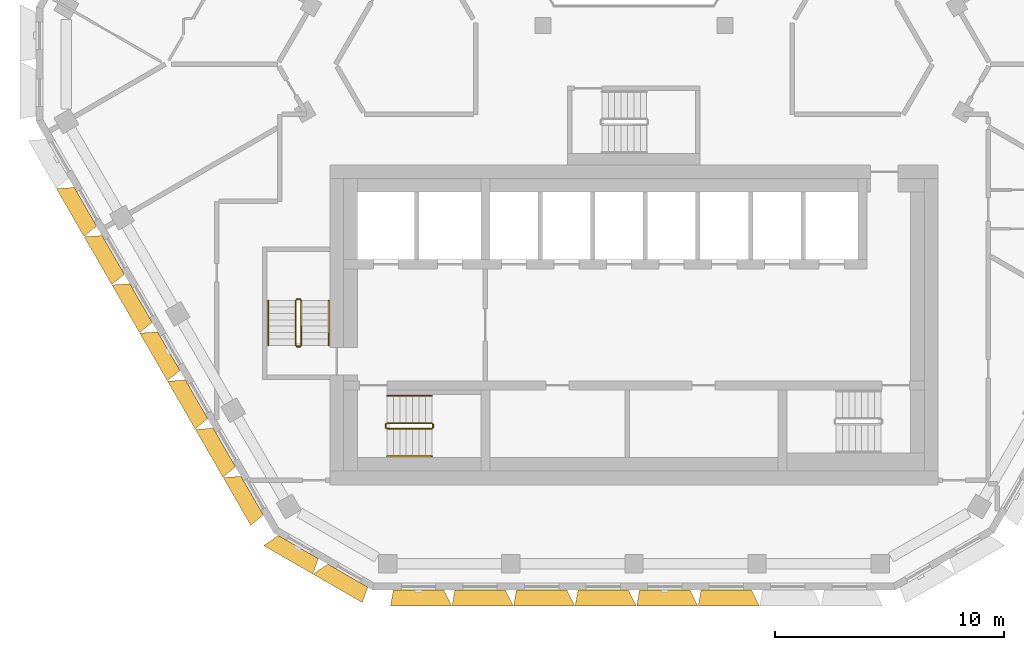
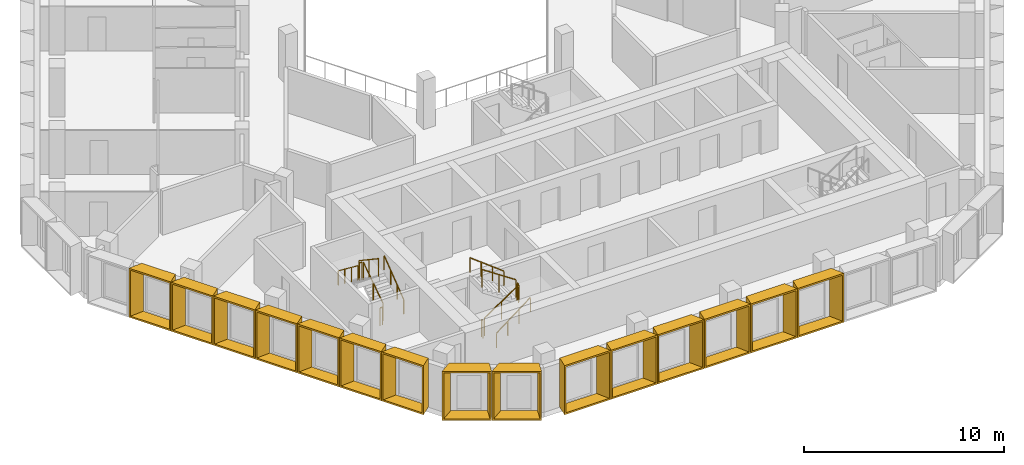
# One storey, part 13 of 17: 15 shading devices, 12 railings.
"""IFC4 building model written with IfcOpenShell, lengths in metres."""

from ifc_helpers import new_model, entity, si_unit, direction, frame, origin, origin_2d, place, context, subcontext, project, spatial, rectangle, extrude, source, transform, mapped, material, type_object, type_shapes, element, save


model = new_model("IFC4")

# Units and contexts
model_context = context("Model", 3, precision=1e-05, world=origin(), true_north=direction((0.0, 1.0)))
body_context = subcontext(model_context, "Body", "Model", "MODEL_VIEW")
ifc_project = project(units=[si_unit("LENGTHUNIT", "METRE"), si_unit("AREAUNIT", "SQUARE_METRE"), si_unit("VOLUMEUNIT", "CUBIC_METRE"), si_unit("PLANEANGLEUNIT", "RADIAN"), si_unit("MASSUNIT", "GRAM", prefix="KILO")], contexts=[model_context])

# Site, building, storey
site_placement = place(None, origin())
site = spatial("IfcSite", under=ifc_project, at=site_placement, CompositionType="ELEMENT")
building_placement = place(site_placement, origin())
building = spatial("IfcBuilding", under=site, at=building_placement, Name="Beryl Residences", CompositionType="ELEMENT")
storey_placement = place(building_placement, frame((0.0, 0.0, 178.199951171875)))
storey = spatial("IfcBuildingStorey", under=building, at=storey_placement, Name="L54", CompositionType="ELEMENT", Elevation=178.199951171875)

# Shading devices
ifc_material_1 = material(Name="Aluminium pale anodised", Category="aluminium")
shading_device_type_1 = type_object("IfcShadingDeviceType", Name="FR243-70B OUTER SKIN frame 700 mm deep, splay 26/10 deg, 2430 x 3000 mm cell", PredefinedType="USERDEFINED", material=ifc_material_1)
cartesian_point_1 = entity("IfcCartesianPoint", [-0.972412109375, 0.0])
cartesian_point_2 = entity("IfcCartesianPoint", [-0.883544921875, 0.10009765625])
cartesian_point_3 = entity("IfcCartesianPoint", [-1.31396484375, 0.0])
cartesian_point_4 = entity("IfcCartesianPoint", [-1.224853515625, 0.10009765625])
shared_shape_1 = source(origin(), body_context, "Body", "SweptSolid", [
    entity("IfcExtrudedAreaSolidTapered", entity("IfcArbitraryProfileDefWithVoids", "AREA", None, entity("IfcPolyline", [cartesian_point_1, entity("IfcCartesianPoint", [0.972412109375, 0.0]), entity("IfcCartesianPoint", [0.972412109375, 3.0]), entity("IfcCartesianPoint", [-0.972412109375, 3.0]), cartesian_point_1]), [entity("IfcPolyline", [cartesian_point_2, entity("IfcCartesianPoint", [0.891357421875, 0.10009765625]), entity("IfcCartesianPoint", [0.891357421875, 2.89990234375]), entity("IfcCartesianPoint", [-0.883544921875, 2.89990234375]), cartesian_point_2])]), entity("IfcAxis2Placement3D", entity("IfcCartesianPoint", [0.0, 0.0, 0.0]), entity("IfcDirection", [0.0, 1.0, 0.0]), entity("IfcDirection", [-1.0, 0.0, 0.0])), entity("IfcDirection", [0.0, 0.0, 1.0]), 0.699951171875, entity("IfcArbitraryProfileDefWithVoids", "AREA", None, entity("IfcPolyline", [cartesian_point_3, entity("IfcCartesianPoint", [1.095947265625, 0.0]), entity("IfcCartesianPoint", [1.095947265625, 3.0]), entity("IfcCartesianPoint", [-1.31396484375, 3.0]), cartesian_point_3]), [entity("IfcPolyline", [cartesian_point_4, entity("IfcCartesianPoint", [1.0146484375, 0.10009765625]), entity("IfcCartesianPoint", [1.0146484375, 2.89990234375]), entity("IfcCartesianPoint", [-1.224853515625, 2.89990234375]), cartesian_point_4])])),
])
type_shapes(shading_device_type_1, [shared_shape_1])
for number, where, z_axis, x_axis, name in (
    (1, (-23.9970703125, -6.833984375, 0.0), (0.0, 0.0, 1.0), (-0.5, 0.866025403784, 0.0), "FR243-70B frame L54 SW 2"),
    (2, (-22.781005859375, -8.93994140625, 0.0), (0.0, 0.0, 1.0), (-0.5, 0.866025403784, 0.0), "FR243-70B frame L54 SW 3"),
    (3, (-21.56494140625, -11.0458984375, 0.0), (0.0, 0.0, 1.0), (-0.5, 0.866025403784, 0.0), "FR243-70B frame L54 SW 4"),
    (4, (-20.35009765625, -13.152099609375, 0.0), (0.0, 0.0, 1.0), (-0.5, 0.866025403784, 0.0), "FR243-70B frame L54 SW 5"),
    (5, (-19.134033203125, -15.258056640625, 0.0), (0.0, 0.0, 1.0), (-0.5, 0.866025403784, 0.0), "FR243-70B frame L54 SW 6"),
    (6, (-17.91796875, -17.364990234375, 0.0), (0.0, 0.0, 1.0), (-0.5, 0.866025403784, 0.0), "FR243-70B frame L54 SW 7"),
    (7, (-16.701904296875, -19.470947265625, 0.0), (0.0, 0.0, 1.0), (-0.5, 0.866025403784, 0.0), "FR243-70B frame L54 SW 8"),
):
    element("IfcShadingDevice", number, at=place(storey_placement, frame(where, z_axis=z_axis, x_axis=x_axis)), inside=storey, type_object=shading_device_type_1, Name=name, ObjectType="OUTER SKIN", PredefinedType="USERDEFINED", context=body_context, shape_type="MappedRepresentation", body=[
        mapped(shared_shape_1, transform((0.0, 0.0, 0.0))),
    ])
ifc_material_2 = material(Name="Aluminium pale anodised", Category="aluminium")
shading_device_type_2 = type_object("IfcShadingDeviceType", Name="FR250-70B OUTER SKIN frame 700 mm deep, splay 26/10 deg, 2500 x 3000 mm cell", PredefinedType="USERDEFINED", material=ifc_material_2)
cartesian_point_5 = entity("IfcCartesianPoint", [-1.007568359375, 0.0])
cartesian_point_6 = entity("IfcCartesianPoint", [-0.91845703125, 0.10009765625])
cartesian_point_7 = entity("IfcCartesianPoint", [-1.348876953125, 0.0])
cartesian_point_8 = entity("IfcCartesianPoint", [-1.260009765625, 0.10009765625])
shared_shape_2 = source(origin(), body_context, "Body", "SweptSolid", [
    entity("IfcExtrudedAreaSolidTapered", entity("IfcArbitraryProfileDefWithVoids", "AREA", None, entity("IfcPolyline", [cartesian_point_5, entity("IfcCartesianPoint", [1.007568359375, 0.0]), entity("IfcCartesianPoint", [1.007568359375, 3.0]), entity("IfcCartesianPoint", [-1.007568359375, 3.0]), cartesian_point_5]), [entity("IfcPolyline", [cartesian_point_6, entity("IfcCartesianPoint", [0.92626953125, 0.10009765625]), entity("IfcCartesianPoint", [0.92626953125, 2.89990234375]), entity("IfcCartesianPoint", [-0.91845703125, 2.89990234375]), cartesian_point_6])]), entity("IfcAxis2Placement3D", entity("IfcCartesianPoint", [0.0, 0.0, 0.0]), entity("IfcDirection", [0.0, 1.0, 0.0]), entity("IfcDirection", [-1.0, 0.0, 0.0])), entity("IfcDirection", [0.0, 0.0, 1.0]), 0.699951171875, entity("IfcArbitraryProfileDefWithVoids", "AREA", None, entity("IfcPolyline", [cartesian_point_7, entity("IfcCartesianPoint", [1.130859375, 0.0]), entity("IfcCartesianPoint", [1.130859375, 3.0]), entity("IfcCartesianPoint", [-1.348876953125, 3.0]), cartesian_point_7]), [entity("IfcPolyline", [cartesian_point_8, entity("IfcCartesianPoint", [1.0498046875, 0.10009765625]), entity("IfcCartesianPoint", [1.0498046875, 2.89990234375]), entity("IfcCartesianPoint", [-1.260009765625, 2.89990234375]), cartesian_point_8])])),
])
type_shapes(shading_device_type_2, [shared_shape_2])
for number, where, z_axis, x_axis, name in (
    (8, (-14.677978515625, -21.72509765625, 0.0), (0.0, 0.0, 1.0), (-0.866025403784, 0.5, 0.0), "FR250-70B frame L54 SW-S 1"),
    (9, (-12.513916015625, -22.97509765625, 0.0), (0.0, 0.0, 1.0), (-0.866025403784, 0.5, 0.0), "FR250-70B frame L54 SW-S 2"),
):
    element("IfcShadingDevice", number, at=place(storey_placement, frame(where, z_axis=z_axis, x_axis=x_axis)), inside=storey, type_object=shading_device_type_2, Name=name, ObjectType="OUTER SKIN", PredefinedType="USERDEFINED", context=body_context, shape_type="MappedRepresentation", body=[
        mapped(shared_shape_2, transform((0.0, 0.0, 0.0))),
    ])
ifc_material_3 = material(Name="Aluminium pale anodised", Category="aluminium")
shading_device_type_3 = type_object("IfcShadingDeviceType", Name="FR269-70C OUTER SKIN frame 700 mm deep, splay 10/26 deg, 2690 x 3000 mm cell", PredefinedType="USERDEFINED", material=ifc_material_3)
cartesian_point_9 = entity("IfcCartesianPoint", [-1.1025390625, 0.0])
cartesian_point_10 = entity("IfcCartesianPoint", [-1.021240234375, 0.10009765625])
cartesian_point_11 = entity("IfcCartesianPoint", [-1.225830078125, 0.0])
cartesian_point_12 = entity("IfcCartesianPoint", [-1.144775390625, 0.10009765625])
shared_shape_3 = source(origin(), body_context, "Body", "SweptSolid", [
    entity("IfcExtrudedAreaSolidTapered", entity("IfcArbitraryProfileDefWithVoids", "AREA", None, entity("IfcPolyline", [cartesian_point_9, entity("IfcCartesianPoint", [1.1025390625, 0.0]), entity("IfcCartesianPoint", [1.1025390625, 3.0]), entity("IfcCartesianPoint", [-1.1025390625, 3.0]), cartesian_point_9]), [entity("IfcPolyline", [cartesian_point_10, entity("IfcCartesianPoint", [1.013427734375, 0.10009765625]), entity("IfcCartesianPoint", [1.013427734375, 2.89990234375]), entity("IfcCartesianPoint", [-1.021240234375, 2.89990234375]), cartesian_point_10])]), entity("IfcAxis2Placement3D", entity("IfcCartesianPoint", [0.0, 0.0, 0.0]), entity("IfcDirection", [0.0, 1.0, 0.0]), entity("IfcDirection", [-1.0, 0.0, 0.0])), entity("IfcDirection", [0.0, 0.0, 1.0]), 0.699951171875, entity("IfcArbitraryProfileDefWithVoids", "AREA", None, entity("IfcPolyline", [cartesian_point_11, entity("IfcCartesianPoint", [1.44384765625, 0.0]), entity("IfcCartesianPoint", [1.44384765625, 3.0]), entity("IfcCartesianPoint", [-1.225830078125, 3.0]), cartesian_point_11]), [entity("IfcPolyline", [cartesian_point_12, entity("IfcCartesianPoint", [1.35498046875, 0.10009765625]), entity("IfcCartesianPoint", [1.35498046875, 2.89990234375]), entity("IfcCartesianPoint", [-1.144775390625, 2.89990234375]), cartesian_point_12])])),
])
type_shapes(shading_device_type_3, [shared_shape_3])
for number, where, z_axis, x_axis, name in (
    (10, (-9.4208984375, -23.60009765625, 0.0), (0.0, 0.0, 1.0), (-1.0, 0.0, 0.0), "FR269-70C frame L54 S 1"),
    (11, (-6.72900390625, -23.60009765625, 0.0), (0.0, 0.0, 1.0), (-1.0, 0.0, 0.0), "FR269-70C frame L54 S 2"),
    (12, (-4.037109375, -23.60009765625, 0.0), (0.0, 0.0, 1.0), (-1.0, 0.0, 0.0), "FR269-70C frame L54 S 3"),
    (13, (-1.344970703125, -23.60009765625, 0.0), (0.0, 0.0, 1.0), (-1.0, 0.0, 0.0), "FR269-70C frame L54 S 4"),
    (14, (1.346923828125, -23.60009765625, 0.0), (0.0, 0.0, 1.0), (-1.0, 0.0, 0.0), "FR269-70C frame L54 S 5"),
    (15, (4.0390625, -23.60009765625, 0.0), (0.0, 0.0, 1.0), (-1.0, 0.0, 0.0), "FR269-70C frame L54 S 6"),
):
    element("IfcShadingDevice", number, at=place(storey_placement, frame(where, z_axis=z_axis, x_axis=x_axis)), inside=storey, type_object=shading_device_type_3, Name=name, ObjectType="OUTER SKIN", PredefinedType="USERDEFINED", context=body_context, shape_type="MappedRepresentation", body=[
        mapped(shared_shape_3, transform((0.0, 0.0, 0.0))),
    ])

# Railings
ifc_material_4 = material(Name="Stainless steel balustrade with glass infill", Category="steel")
railing_type_1 = type_object("IfcRailingType", Name="SG1 stair guard 1100 mm", PredefinedType="GUARDRAIL", material=ifc_material_4)
railing_1_placement = place(storey_placement, frame((-10.800048828125, -16.550048828125, 0.1875)))
element("IfcRailing", 16, at=railing_1_placement, inside=storey, type_object=railing_type_1, Name="L54 ST-1 stair guard 1", PredefinedType="GUARDRAIL", context=body_context, shape_type="SweptSolid", body=[
    extrude(rectangle(XDim=0.048095703125, YDim=0.048095703125, at=origin_2d()), frame((0.0, 0.0, 1.076171875), z_axis=(0.830902050051, 0.0, 0.556418712142), x_axis=(0.0, 1.0, 0.0)), (0.0, 0.0, 1.0), 2.35888671875),
    extrude(rectangle(XDim=0.0419921875, YDim=0.0419921875, at=origin_2d()), origin(), (0.0, 0.0, 1.0), 1.052001953125),
    extrude(rectangle(XDim=0.0419921875, YDim=0.0419921875, at=origin_2d()), frame((0.97998046875, 0.0, 0.65625)), (0.0, 0.0, 1.0), 1.052001953125),
    extrude(rectangle(XDim=0.0419921875, YDim=0.0419921875, at=origin_2d()), frame((1.9599609375, 0.0, 1.3125)), (0.0, 0.0, 1.0), 1.052001953125),
])
railing_2_placement = place(storey_placement, frame((-8.7900390625, -16.5, 1.5)))
element("IfcRailing", 17, at=railing_2_placement, inside=storey, type_object=railing_type_1, Name="L54 ST-1 stair guard 2", PredefinedType="GUARDRAIL", context=body_context, shape_type="SweptSolid", body=[
    extrude(rectangle(XDim=0.048095703125, YDim=0.048095703125, at=origin_2d()), frame((0.0, 0.0, 1.076171875), z_axis=(0.0, 1.0, 0.0), x_axis=(-1.0, 0.0, 0.0)), (0.0, 0.0, 1.0), 0.14990234375),
    extrude(rectangle(XDim=0.0419921875, YDim=0.0419921875, at=origin_2d()), origin(), (0.0, 0.0, 1.0), 1.052001953125),
    extrude(rectangle(XDim=0.0419921875, YDim=0.0419921875, at=origin_2d()), frame((0.0, 0.14990234375, 0.0)), (0.0, 0.0, 1.0), 1.052001953125),
])
railing_3_placement = place(storey_placement, frame((-8.840087890625, -16.300048828125, 1.6875)))
element("IfcRailing", 18, at=railing_3_placement, inside=storey, type_object=railing_type_1, Name="L54 ST-1 stair guard 3", PredefinedType="GUARDRAIL", context=body_context, shape_type="SweptSolid", body=[
    extrude(rectangle(XDim=0.048095703125, YDim=0.048095703125, at=origin_2d()), frame((0.0, 0.0, 1.076171875), z_axis=(-0.830902050051, 0.0, 0.556418712142), x_axis=(0.0, -1.0, 0.0)), (0.0, 0.0, 1.0), 2.35888671875),
    extrude(rectangle(XDim=0.0419921875, YDim=0.0419921875, at=origin_2d()), origin(), (0.0, 0.0, 1.0), 1.052001953125),
    extrude(rectangle(XDim=0.0419921875, YDim=0.0419921875, at=origin_2d()), frame((-0.97998046875, 0.0, 0.65625)), (0.0, 0.0, 1.0), 1.052001953125),
    extrude(rectangle(XDim=0.0419921875, YDim=0.0419921875, at=origin_2d()), frame((-1.9599609375, 0.0, 1.3125)), (0.0, 0.0, 1.0), 1.052001953125),
])
railing_4_placement = place(storey_placement, frame((-10.85009765625, -16.5, 0.0)))
element("IfcRailing", 19, at=railing_4_placement, inside=storey, type_object=railing_type_1, Name="L54 ST-1 stair guard 4", PredefinedType="GUARDRAIL", context=body_context, shape_type="SweptSolid", body=[
    extrude(rectangle(XDim=0.048095703125, YDim=0.048095703125, at=origin_2d()), frame((0.0, 0.0, 1.076171875), z_axis=(0.0, 1.0, 0.0), x_axis=(-1.0, 0.0, 0.0)), (0.0, 0.0, 1.0), 0.14990234375),
    extrude(rectangle(XDim=0.0419921875, YDim=0.0419921875, at=origin_2d()), origin(), (0.0, 0.0, 1.0), 1.052001953125),
    extrude(rectangle(XDim=0.0419921875, YDim=0.0419921875, at=origin_2d()), frame((0.0, 0.14990234375, 0.0)), (0.0, 0.0, 1.0), 1.052001953125),
])
railing_5_placement = place(storey_placement, frame((-14.550048828125, -12.89990234375, 0.1875)))
element("IfcRailing", 20, at=railing_5_placement, inside=storey, type_object=railing_type_1, Name="L54 ST-2 stair guard 1", PredefinedType="GUARDRAIL", context=body_context, shape_type="SweptSolid", body=[
    extrude(rectangle(XDim=0.048095703125, YDim=0.048095703125, at=origin_2d()), frame((0.0, 0.0, 1.076171875), z_axis=(0.0, 0.830902050051, 0.556418712142), x_axis=(-1.0, 0.0, 0.0)), (0.0, 0.0, 1.0), 2.35888671875),
    extrude(rectangle(XDim=0.0419921875, YDim=0.0419921875, at=origin_2d()), origin(), (0.0, 0.0, 1.0), 1.052001953125),
    extrude(rectangle(XDim=0.0419921875, YDim=0.0419921875, at=origin_2d()), frame((0.0, 0.97998046875, 0.65625)), (0.0, 0.0, 1.0), 1.052001953125),
    extrude(rectangle(XDim=0.0419921875, YDim=0.0419921875, at=origin_2d()), frame((0.0, 1.9599609375, 1.3125)), (0.0, 0.0, 1.0), 1.052001953125),
])
railing_6_placement = place(storey_placement, frame((-14.60009765625, -10.889892578125, 1.5)))
element("IfcRailing", 21, at=railing_6_placement, inside=storey, type_object=railing_type_1, Name="L54 ST-2 stair guard 2", PredefinedType="GUARDRAIL", context=body_context, shape_type="SweptSolid", body=[
    extrude(rectangle(XDim=0.048095703125, YDim=0.048095703125, at=origin_2d()), frame((0.0, 0.0, 1.076171875), z_axis=(-1.0, 0.0, 0.0), x_axis=(0.0, -1.0, 0.0)), (0.0, 0.0, 1.0), 0.14990234375),
    extrude(rectangle(XDim=0.0419921875, YDim=0.0419921875, at=origin_2d()), origin(), (0.0, 0.0, 1.0), 1.052001953125),
    extrude(rectangle(XDim=0.0419921875, YDim=0.0419921875, at=origin_2d()), frame((-0.14990234375, 0.0, 0.0)), (0.0, 0.0, 1.0), 1.052001953125),
])
railing_7_placement = place(storey_placement, frame((-14.800048828125, -10.93994140625, 1.6875)))
element("IfcRailing", 22, at=railing_7_placement, inside=storey, type_object=railing_type_1, Name="L54 ST-2 stair guard 3", PredefinedType="GUARDRAIL", context=body_context, shape_type="SweptSolid", body=[
    extrude(rectangle(XDim=0.048095703125, YDim=0.048095703125, at=origin_2d()), frame((0.0, 0.0, 1.076171875), z_axis=(0.0, -0.830902050051, 0.556418712142), x_axis=(1.0, 0.0, 0.0)), (0.0, 0.0, 1.0), 2.35888671875),
    extrude(rectangle(XDim=0.0419921875, YDim=0.0419921875, at=origin_2d()), origin(), (0.0, 0.0, 1.0), 1.052001953125),
    extrude(rectangle(XDim=0.0419921875, YDim=0.0419921875, at=origin_2d()), frame((0.0, -0.97998046875, 0.65625)), (0.0, 0.0, 1.0), 1.052001953125),
    extrude(rectangle(XDim=0.0419921875, YDim=0.0419921875, at=origin_2d()), frame((0.0, -1.9599609375, 1.3125)), (0.0, 0.0, 1.0), 1.052001953125),
])
railing_8_placement = place(storey_placement, frame((-14.60009765625, -12.949951171875, 0.0)))
element("IfcRailing", 23, at=railing_8_placement, inside=storey, type_object=railing_type_1, Name="L54 ST-2 stair guard 4", PredefinedType="GUARDRAIL", context=body_context, shape_type="SweptSolid", body=[
    extrude(rectangle(XDim=0.048095703125, YDim=0.048095703125, at=origin_2d()), frame((0.0, 0.0, 1.076171875), z_axis=(-1.0, 0.0, 0.0), x_axis=(0.0, -1.0, 0.0)), (0.0, 0.0, 1.0), 0.14990234375),
    extrude(rectangle(XDim=0.0419921875, YDim=0.0419921875, at=origin_2d()), origin(), (0.0, 0.0, 1.0), 1.052001953125),
    extrude(rectangle(XDim=0.0419921875, YDim=0.0419921875, at=origin_2d()), frame((-0.14990234375, 0.0, 0.0)), (0.0, 0.0, 1.0), 1.052001953125),
])
ifc_material_5 = material(Name="Stainless steel handrail", Category="steel")
railing_type_2 = type_object("IfcRailingType", Name="SRL1 stair handrail 900 mm", PredefinedType="HANDRAIL", material=ifc_material_5)
railing_9_placement = place(storey_placement, frame((-10.800048828125, -17.75, 0.1875)))
element("IfcRailing", 24, at=railing_9_placement, inside=storey, type_object=railing_type_2, Name="L54 ST-1 stair handrail 1", PredefinedType="HANDRAIL", context=body_context, shape_type="SweptSolid", body=[
    extrude(rectangle(XDim=0.048095703125, YDim=0.048095703125, at=origin_2d()), frame((0.0, 0.0, 0.8759765625), z_axis=(0.794121922505, 0.0, 0.607758481798), x_axis=(0.0, 1.0, 0.0)), (0.0, 0.0, 1.0), 2.468017578125),
    extrude(rectangle(XDim=0.0419921875, YDim=0.0419921875, at=origin_2d()), origin(), (0.0, 0.0, 1.0), 0.851806640625),
    extrude(rectangle(XDim=0.0419921875, YDim=0.0419921875, at=origin_2d()), frame((0.6533203125, 0.0, 0.5)), (0.0, 0.0, 1.0), 0.851806640625),
    extrude(rectangle(XDim=0.0419921875, YDim=0.0419921875, at=origin_2d()), frame((1.306640625, 0.0, 1.0)), (0.0, 0.0, 1.0), 0.851806640625),
    extrude(rectangle(XDim=0.0419921875, YDim=0.0419921875, at=origin_2d()), frame((1.9599609375, 0.0, 1.5)), (0.0, 0.0, 1.0), 0.851806640625),
])
railing_10_placement = place(storey_placement, frame((-8.840087890625, -15.10009765625, 1.6875)))
element("IfcRailing", 25, at=railing_10_placement, inside=storey, type_object=railing_type_2, Name="L54 ST-1 stair handrail 2", PredefinedType="HANDRAIL", context=body_context, shape_type="SweptSolid", body=[
    extrude(rectangle(XDim=0.048095703125, YDim=0.048095703125, at=origin_2d()), frame((0.0, 0.0, 0.8759765625), z_axis=(-0.794121922505, 0.0, 0.607758481798), x_axis=(0.0, -1.0, 0.0)), (0.0, 0.0, 1.0), 2.468017578125),
    extrude(rectangle(XDim=0.0419921875, YDim=0.0419921875, at=origin_2d()), origin(), (0.0, 0.0, 1.0), 0.851806640625),
    extrude(rectangle(XDim=0.0419921875, YDim=0.0419921875, at=origin_2d()), frame((-0.6533203125, 0.0, 0.5)), (0.0, 0.0, 1.0), 0.851806640625),
    extrude(rectangle(XDim=0.0419921875, YDim=0.0419921875, at=origin_2d()), frame((-1.306640625, 0.0, 1.0)), (0.0, 0.0, 1.0), 0.851806640625),
    extrude(rectangle(XDim=0.0419921875, YDim=0.0419921875, at=origin_2d()), frame((-1.9599609375, 0.0, 1.5)), (0.0, 0.0, 1.0), 0.851806640625),
])
railing_11_placement = place(storey_placement, frame((-13.35009765625, -12.89990234375, 0.1875)))
element("IfcRailing", 26, at=railing_11_placement, inside=storey, type_object=railing_type_2, Name="L54 ST-2 stair handrail 1", PredefinedType="HANDRAIL", context=body_context, shape_type="SweptSolid", body=[
    extrude(rectangle(XDim=0.048095703125, YDim=0.048095703125, at=origin_2d()), frame((0.0, 0.0, 0.8759765625), z_axis=(0.0, 0.794121922505, 0.607758481798), x_axis=(-1.0, 0.0, 0.0)), (0.0, 0.0, 1.0), 2.468017578125),
    extrude(rectangle(XDim=0.0419921875, YDim=0.0419921875, at=origin_2d()), origin(), (0.0, 0.0, 1.0), 0.851806640625),
    extrude(rectangle(XDim=0.0419921875, YDim=0.0419921875, at=origin_2d()), frame((0.0, 0.6533203125, 0.5)), (0.0, 0.0, 1.0), 0.851806640625),
    extrude(rectangle(XDim=0.0419921875, YDim=0.0419921875, at=origin_2d()), frame((0.0, 1.306640625, 1.0)), (0.0, 0.0, 1.0), 0.851806640625),
    extrude(rectangle(XDim=0.0419921875, YDim=0.0419921875, at=origin_2d()), frame((0.0, 1.9599609375, 1.5)), (0.0, 0.0, 1.0), 0.851806640625),
])
railing_12_placement = place(storey_placement, frame((-16.0, -10.93994140625, 1.6875)))
element("IfcRailing", 27, at=railing_12_placement, inside=storey, type_object=railing_type_2, Name="L54 ST-2 stair handrail 2", PredefinedType="HANDRAIL", context=body_context, shape_type="SweptSolid", body=[
    extrude(rectangle(XDim=0.048095703125, YDim=0.048095703125, at=origin_2d()), frame((0.0, 0.0, 0.8759765625), z_axis=(0.0, -0.794121922505, 0.607758481798), x_axis=(1.0, 0.0, 0.0)), (0.0, 0.0, 1.0), 2.468017578125),
    extrude(rectangle(XDim=0.0419921875, YDim=0.0419921875, at=origin_2d()), origin(), (0.0, 0.0, 1.0), 0.851806640625),
    extrude(rectangle(XDim=0.0419921875, YDim=0.0419921875, at=origin_2d()), frame((0.0, -0.6533203125, 0.5)), (0.0, 0.0, 1.0), 0.851806640625),
    extrude(rectangle(XDim=0.0419921875, YDim=0.0419921875, at=origin_2d()), frame((0.0, -1.306640625, 1.0)), (0.0, 0.0, 1.0), 0.851806640625),
    extrude(rectangle(XDim=0.0419921875, YDim=0.0419921875, at=origin_2d()), frame((0.0, -1.9599609375, 1.5)), (0.0, 0.0, 1.0), 0.851806640625),
])

save(model, "model.ifc")
